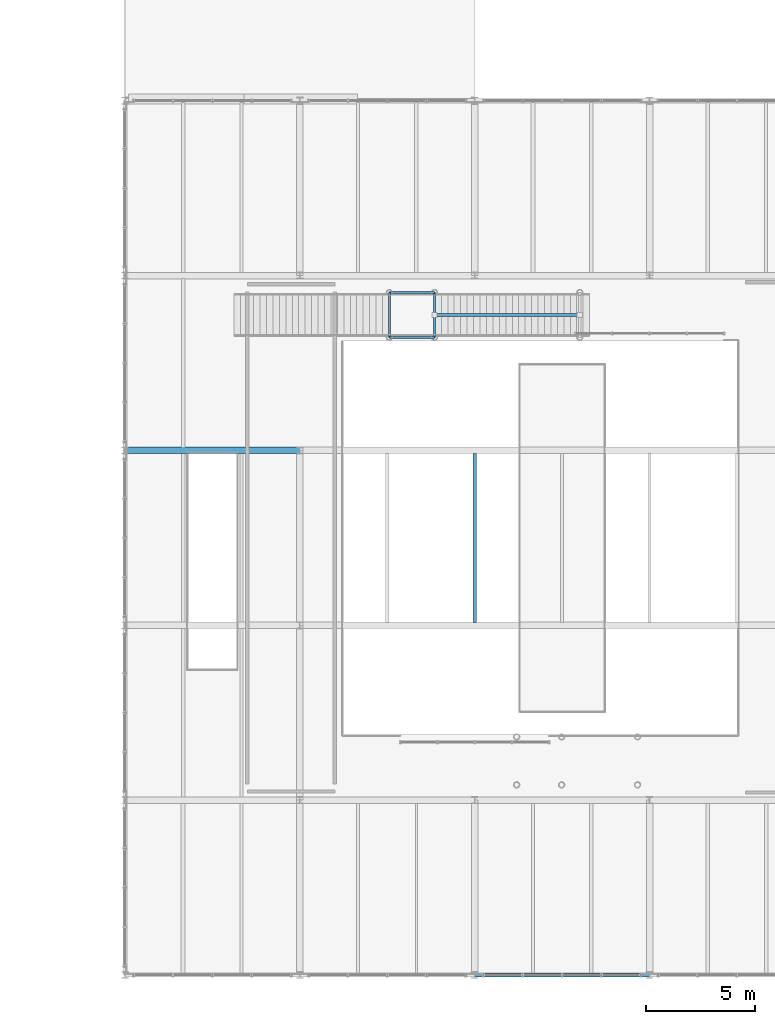
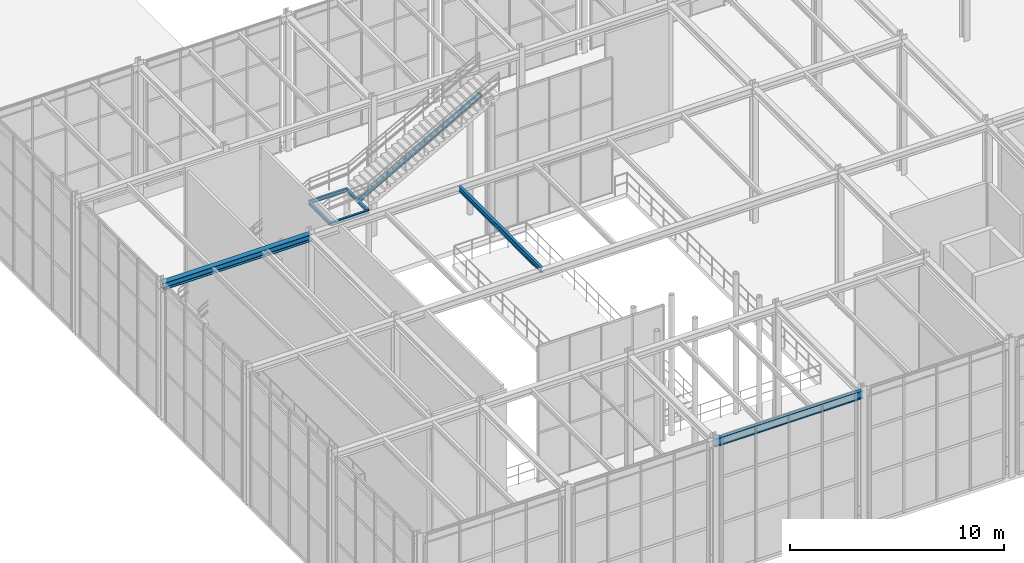
# One storey, part 41 of 138: 7 beams, 1 member.
"""IFC4 building model written with IfcOpenShell, lengths in metres."""

import ifcopenshell
import ifcopenshell.guid

model = None  # the IFC model being written
_history = None  # IfcOwnerHistory: only IFC2X3 demands one
_inside = {}  # id of a spatial element -> (the spatial element, [elements in it])
_under = {}  # id of a project, library or spatial element -> (it, [spatial elements below it])
_declared = {}  # id of a project -> (the project, [libraries it declares])
_typed = {}  # id of a type object -> (the type object, [elements of that type])
_made_of = {}  # id of a material, layer set ... -> (it, [elements and type objects made of it])


def new_model(schema):
    """Start an empty IFC model of exactly this schema.

    Asked for "IFC4X3", IfcOpenShell would pick the latest addendum, in which some entities
    have other attributes; the version numbers below select the first issue.
    IFC2X3 requires an IfcOwnerHistory on every rooted entity: one is made here for all.
    """
    global model, _history
    if schema == "IFC4X3":
        model = ifcopenshell.file(schema_version=(4, 3, 0, 0))
    else:
        model = ifcopenshell.file(schema=schema)
    _inside.clear()
    _under.clear()
    _declared.clear()
    _typed.clear()
    _made_of.clear()
    _history = None
    if model.schema == "IFC2X3":
        org = make("IfcOrganization", Name="unknown")
        user = make(
            "IfcPersonAndOrganization",
            ThePerson=make("IfcPerson", FamilyName="unknown"),
            TheOrganization=org,
        )
        app = make(
            "IfcApplication",
            ApplicationDeveloper=org,
            Version="unknown",
            ApplicationFullName="unknown",
            ApplicationIdentifier="unknown",
        )
        _history = make(
            "IfcOwnerHistory",
            OwningUser=user,
            OwningApplication=app,
            ChangeAction="ADDED",
            CreationDate=0,
        )
    return model


def make(cls, **values):
    """One entity of the class cls with the attributes given. An attribute that is None is left unset."""
    return model.create_entity(
        cls, **{name: value for name, value in values.items() if value is not None}
    )


def rooted(cls, **values):
    """An entity with a GlobalId (a new one), such as an element, a storey or a relation."""
    return make(cls, GlobalId=ifcopenshell.guid.new(), OwnerHistory=_history, **values)


def si_unit(unit_type, name, prefix=None):
    """IfcSIUnit, for example si_unit("LENGTHUNIT", "METRE", prefix="MILLI")."""
    return make("IfcSIUnit", UnitType=unit_type, Prefix=prefix, Name=name)


def assignment(units):
    """IfcUnitAssignment: the units of a project."""
    return None if units is None else make("IfcUnitAssignment", Units=units)


def point(xyz):
    """IfcCartesianPoint."""
    return None if xyz is None else make("IfcCartesianPoint", Coordinates=xyz)


def direction(xyz):
    """IfcDirection."""
    return None if xyz is None else make("IfcDirection", DirectionRatios=xyz)


def frame(location, z_axis=None, x_axis=None):
    """IfcAxis2Placement3D, a coordinate frame: its origin and axes. An axis left out is left unset."""
    return make(
        "IfcAxis2Placement3D",
        Location=point(location),
        Axis=direction(z_axis),
        RefDirection=direction(x_axis),
    )


def frame_2d(location, x_axis=None):
    """IfcAxis2Placement2D, a coordinate frame in the plane: its origin and x axis."""
    return make(
        "IfcAxis2Placement2D", Location=point(location), RefDirection=direction(x_axis)
    )


def origin():
    """The frame at (0, 0, 0) with its axes left unset."""
    return frame((0.0, 0.0, 0.0))


def origin_2d():
    """The frame at (0, 0) in the plane with its x axis left unset."""
    return frame_2d((0.0, 0.0))


def place(relative_to, where):
    """IfcLocalPlacement: puts the frame where relative to a parent placement (None: the world)."""
    return make(
        "IfcLocalPlacement", PlacementRelTo=relative_to, RelativePlacement=where
    )


def context(
    kind, dimensions, precision=None, world=None, true_north=None, identifier=None
):
    """IfcGeometricRepresentationContext, for example the 3D "Model" context."""
    return make(
        "IfcGeometricRepresentationContext",
        ContextIdentifier=identifier,
        ContextType=kind,
        CoordinateSpaceDimension=dimensions,
        Precision=precision,
        WorldCoordinateSystem=world,
        TrueNorth=true_north,
    )


def subcontext(parent, identifier, kind, view, scale=None):
    """IfcGeometricRepresentationSubContext, for example "Body" below "Model"."""
    return make(
        "IfcGeometricRepresentationSubContext",
        ContextIdentifier=identifier,
        ContextType=kind,
        ParentContext=parent,
        TargetScale=scale,
        TargetView=view,
    )


def project(units=None, contexts=None):
    """IfcProject with its units and contexts."""
    return rooted(
        "IfcProject",
        Name="project",
        RepresentationContexts=contexts,
        UnitsInContext=assignment(units),
    )


def spatial(cls, under=None, at=None, **own):
    """A site, building, storey or space (cls), placed at a placement, below another one or the project."""
    s = rooted(cls, ObjectPlacement=at, **own)
    if under is not None:
        _under.setdefault(under.id(), (under, []))[1].append(s)
    return s


def profile(cls, at=None, kind="AREA", **sizes):
    """A parametric profile (cls). Its sizes go by their IFC names, for example OverallWidth=200.0."""
    return make(cls, ProfileType=kind, Position=at, **sizes)


def i_section(**sizes):
    """IfcIShapeProfileDef."""
    return profile("IfcIShapeProfileDef", **sizes)


def extrude(swept, where, along, depth):
    """IfcExtrudedAreaSolid: the profile swept, set in the frame where, extruded along a direction by depth."""
    return make(
        "IfcExtrudedAreaSolid",
        SweptArea=swept,
        Position=where,
        ExtrudedDirection=direction(along),
        Depth=depth,
    )


def shape(context_of_items, identifier, shape_type, items):
    """IfcShapeRepresentation: the items that make up one representation, for example the "Body"."""
    return make(
        "IfcShapeRepresentation",
        ContextOfItems=context_of_items,
        RepresentationIdentifier=identifier,
        RepresentationType=shape_type,
        Items=items,
    )


def material(Name=None, Category=None):
    """IfcMaterial."""
    return make("IfcMaterial", Name=Name, Category=Category)


def material_profile(
    of_material, cross_section, Name=None, Category=None, Priority=None
):
    """IfcMaterialProfile: a cross section and its material."""
    return make(
        "IfcMaterialProfile",
        Name=Name,
        Material=of_material,
        Profile=cross_section,
        Priority=Priority,
        Category=Category,
    )


def profile_set(profiles, Name=None, composite=None):
    """IfcMaterialProfileSet."""
    return make(
        "IfcMaterialProfileSet",
        Name=Name,
        MaterialProfiles=profiles,
        CompositeProfile=composite,
    )


def made_of(thing, what):
    """Note that an element or type object is made of a material, layer set ...; save() writes the relation."""
    if what is not None:
        _made_of.setdefault(what.id(), (what, []))[1].append(thing)
    return thing


def type_object(cls, material=None, **own):
    """A type object (cls), such as IfcWallType, which elements share."""
    return made_of(rooted(cls, **own), material)


def element(
    cls,
    number,
    at=None,
    inside=None,
    cuts=None,
    type_object=None,
    material=None,
    context=None,
    identifier="Body",
    shape_type=None,
    held_by="IfcProductDefinitionShape",
    body=None,
    shapes=None,
    **own,
):
    """One element of the class cls, such as IfcWall. Its Tag is "e" and its number.

    at: its placement. inside: the storey or other place that contains it. cuts: it is an
    opening in that element (IfcRelVoidsElement). A single representation is given by context,
    identifier, shape_type and body (its items); several are given by shapes. held_by: the class
    of the entity that holds the representations. save() writes the other relations.
    """
    e = rooted(cls, Tag="e%d" % number, ObjectPlacement=at, **own)
    if body is not None:
        shapes = [shape(context, identifier, shape_type, body)]
    if shapes is not None:
        e.Representation = make(held_by, Representations=shapes)
    if inside is not None:
        _inside.setdefault(inside.id(), (inside, []))[1].append(e)
    if cuts is not None:
        rooted(
            "IfcRelVoidsElement", RelatingBuildingElement=cuts, RelatedOpeningElement=e
        )
    if type_object is not None:
        _typed.setdefault(type_object.id(), (type_object, []))[1].append(e)
    return made_of(e, material)


def aggregate(whole, parts):
    """IfcRelAggregates: a whole, such as a stair, and the parts it consists of."""
    return rooted("IfcRelAggregates", RelatingObject=whole, RelatedObjects=parts)


def save(model, path):
    """Write the relations noted so far, then the file.

    IfcRelAggregates (storeys below a building ...), IfcRelContainedInSpatialStructure (elements
    in a storey), IfcRelDefinesByType, IfcRelAssociatesMaterial and IfcRelDeclares: one each for
    every whole, place, type object, material and project.
    """
    for whole, parts in _under.values():
        aggregate(whole, parts)
    for where, things in _inside.values():
        rooted(
            "IfcRelContainedInSpatialStructure",
            RelatedElements=things,
            RelatingStructure=where,
        )
    for kind, things in _typed.values():
        rooted("IfcRelDefinesByType", RelatedObjects=things, RelatingType=kind)
    for what, things in _made_of.values():
        rooted("IfcRelAssociatesMaterial", RelatedObjects=things, RelatingMaterial=what)
    for by, libraries in _declared.values():
        rooted("IfcRelDeclares", RelatingContext=by, RelatedDefinitions=libraries)
    model.write(path)


model = new_model("IFC4")

# Units and contexts
model_context = context("Model", 3, precision=1e-05, world=origin(), true_north=direction((0.0, 1.0)))
body_context = subcontext(model_context, "Body", "Model", "MODEL_VIEW")
ifc_project = project(units=[si_unit("LENGTHUNIT", "METRE"), si_unit("AREAUNIT", "SQUARE_METRE"), si_unit("VOLUMEUNIT", "CUBIC_METRE"), si_unit("PLANEANGLEUNIT", "RADIAN"), si_unit("MASSUNIT", "GRAM", prefix="KILO")], contexts=[model_context])

# Site, building, storey
site_placement = place(None, origin())
site = spatial("IfcSite", under=ifc_project, at=site_placement, CompositionType="ELEMENT")
building_placement = place(site_placement, origin())
building = spatial("IfcBuilding", under=site, at=building_placement, Name="Sundkrona Museum", CompositionType="ELEMENT")
storey_placement = place(building_placement, frame((0.0, 0.0, 9.60009765625)))
storey = spatial("IfcBuildingStorey", under=building, at=storey_placement, Name="L02", CompositionType="ELEMENT", Elevation=9.60009765625)

# Beam
ifc_material = material(Name="Steel S355J2", Category="steel")
ifc_material_profile_1 = material_profile(ifc_material, i_section(OverallWidth=0.300048828125, OverallDepth=0.389892578125, WebThickness=0.010986328125, FlangeThickness=0.01904296875, FilletRadius=0.027099609375, at=origin_2d()), Name="HEA 400")
ifc_profile_set_1 = profile_set([ifc_material_profile_1], Name="Steel S355J2")
beam_type_1 = type_object("IfcBeamType", Name="B-HEA400", PredefinedType="BEAM", material=ifc_profile_set_1)
beam_1_placement = place(storey_placement, frame((80.0, 24.0, 7.544921875), z_axis=(1.0, 0.0, 0.0), x_axis=(0.0, 1.0, 0.0)))
element("IfcBeam", 1, at=beam_1_placement, inside=storey, type_object=beam_type_1, Name="L02 Girder X-1147", PredefinedType="BEAM", context=body_context, shape_type="SweptSolid", body=[
    extrude(i_section(OverallWidth=0.300048828125, OverallDepth=0.389892578125, WebThickness=0.010986328125, FlangeThickness=0.01904296875, FilletRadius=0.027099609375, at=origin_2d()), origin(), (0.0, 0.0, 1.0), 8.0),
])

# Member
ifc_material_profile_2 = material_profile(ifc_material, i_section(OverallWidth=0.135009765625, OverallDepth=0.27001953125, WebThickness=0.006591796875, FlangeThickness=0.01025390625, FilletRadius=0.014892578125, at=origin_2d()), Name="IPE 270")
ifc_profile_set_2 = profile_set([ifc_material_profile_2], Name="Steel S355J2")
member_type = type_object("IfcMemberType", Name="BR-IPE270", PredefinedType="BRACE", material=ifc_profile_set_2)
member_placement = place(storey_placement, frame((94.159912109375, 30.199951171875, 3.679931640625), z_axis=(0.869370241539, 0.0, 0.494161292623), x_axis=(0.0, 1.0, 0.0)))
element("IfcMember", 2, at=member_placement, inside=storey, type_object=member_type, Name="SRK-1 Feature Stair FS-3 Flight 2 Inclined Carriage Raker", PredefinedType="BRACE", context=body_context, shape_type="SweptSolid", body=[
    extrude(i_section(OverallWidth=0.135009765625, OverallDepth=0.27001953125, WebThickness=0.006591796875, FlangeThickness=0.01025390625, FilletRadius=0.014892578125, at=origin_2d()), origin(), (0.0, 0.0, 1.0), 7.6494140625),
])

# Beams
ifc_material_profile_3 = material_profile(ifc_material, i_section(OverallWidth=0.10009765625, OverallDepth=0.199951171875, WebThickness=0.005615234375, FlangeThickness=0.008544921875, FilletRadius=0.011962890625, at=origin_2d()), Name="IPE 200")
ifc_profile_set_3 = profile_set([ifc_material_profile_3], Name="Steel S355J2")
beam_type_2 = type_object("IfcBeamType", Name="J-IPE200", PredefinedType="JOIST", material=ifc_profile_set_3)
for number, where, z_axis, x_axis, name in (
    (3, (92.10009765625, 29.175048828125, 3.679931640625), (0.0, 1.0, 0.0), (-1.0, 0.0, 0.0), "Feature Stair FS-3 S1 Trimmer Beam"),
    (4, (94.159912109375, 29.175048828125, 3.679931640625), (0.0, 1.0, 0.0), (-1.0, 0.0, 0.0), "Feature Stair FS-3 S2 Trimmer Beam"),
):
    element("IfcBeam", number, at=place(storey_placement, frame(where, z_axis=z_axis, x_axis=x_axis)), inside=storey, type_object=beam_type_2, Name=name, PredefinedType="JOIST", context=body_context, shape_type="SweptSolid", body=[
        extrude(i_section(OverallWidth=0.10009765625, OverallDepth=0.199951171875, WebThickness=0.005615234375, FlangeThickness=0.008544921875, FilletRadius=0.011962890625, at=origin_2d()), origin(), (0.0, 0.0, 1.0), 2.050048828125),
    ])
for number, where, z_axis, x_axis, name in (
    (5, (92.10009765625, 29.175048828125, 3.679931640625), (1.0, 0.0, 0.0), (0.0, 1.0, 0.0), "Feature Stair FS-3 Landing Stringer L"),
    (6, (92.10009765625, 31.22509765625, 3.679931640625), (1.0, 0.0, 0.0), (0.0, 1.0, 0.0), "Feature Stair FS-3 Landing Stringer R"),
):
    element("IfcBeam", number, at=place(storey_placement, frame(where, z_axis=z_axis, x_axis=x_axis)), inside=storey, type_object=beam_type_2, Name=name, PredefinedType="JOIST", context=body_context, shape_type="SweptSolid", body=[
        extrude(i_section(OverallWidth=0.10009765625, OverallDepth=0.199951171875, WebThickness=0.005615234375, FlangeThickness=0.008544921875, FilletRadius=0.011962890625, at=origin_2d()), origin(), (0.0, 0.0, 1.0), 2.059814453125),
    ])
ifc_material_profile_4 = material_profile(ifc_material, i_section(OverallWidth=0.14990234375, OverallDepth=0.300048828125, WebThickness=0.007080078125, FlangeThickness=0.0107421875, FilletRadius=0.014892578125, at=origin_2d()), Name="IPE 300")
ifc_profile_set_4 = profile_set([ifc_material_profile_4], Name="Steel S355J2")
beam_type_3 = type_object("IfcBeamType", Name="J-IPE300", PredefinedType="JOIST", material=ifc_profile_set_4)
beam_2_placement = place(storey_placement, frame((96.0, 16.139892578125, 7.5849609375), z_axis=(0.0, 1.0, 0.0), x_axis=(-1.0, 0.0, 0.0)))
element("IfcBeam", 7, at=beam_2_placement, inside=storey, type_object=beam_type_3, Name="Atrium Level 03 Bridge Cross Beam X=96", PredefinedType="JOIST", context=body_context, shape_type="SweptSolid", body=[
    extrude(i_section(OverallWidth=0.14990234375, OverallDepth=0.300048828125, WebThickness=0.007080078125, FlangeThickness=0.0107421875, FilletRadius=0.014892578125, at=origin_2d()), origin(), (0.0, 0.0, 1.0), 7.72021484375),
])
ifc_material_profile_5 = material_profile(ifc_material, i_section(OverallWidth=0.18994140625, OverallDepth=0.449951171875, WebThickness=0.009521484375, FlangeThickness=0.0146484375, FilletRadius=0.02099609375, at=origin_2d()), Name="IPE 450")
ifc_profile_set_5 = profile_set([ifc_material_profile_5], Name="Steel S355J2")
beam_type_4 = type_object("IfcBeamType", Name="SP-IPE450", PredefinedType="SPANDREL", material=ifc_profile_set_5)
beam_3_placement = place(storey_placement, frame((96.0, 0.0, 7.514892578125), z_axis=(1.0, 0.0, 0.0), x_axis=(0.0, 1.0, 0.0)))
element("IfcBeam", 8, at=beam_3_placement, inside=storey, type_object=beam_type_4, Name="L02 Girder X-1124", PredefinedType="SPANDREL", context=body_context, shape_type="SweptSolid", body=[
    extrude(i_section(OverallWidth=0.18994140625, OverallDepth=0.449951171875, WebThickness=0.009521484375, FlangeThickness=0.0146484375, FilletRadius=0.02099609375, at=origin_2d()), origin(), (0.0, 0.0, 1.0), 8.0),
])

save(model, "model.ifc")
